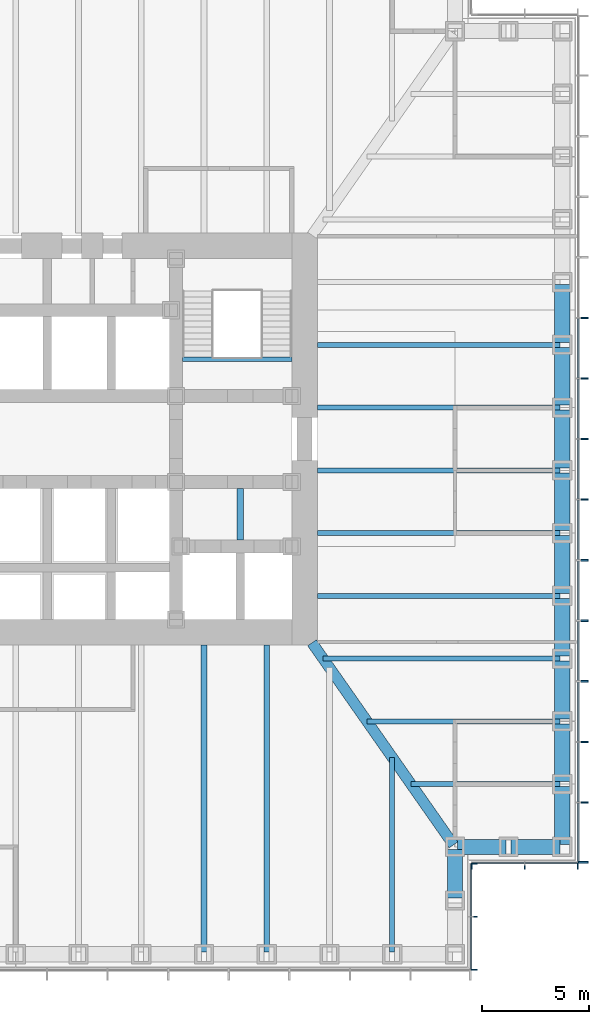
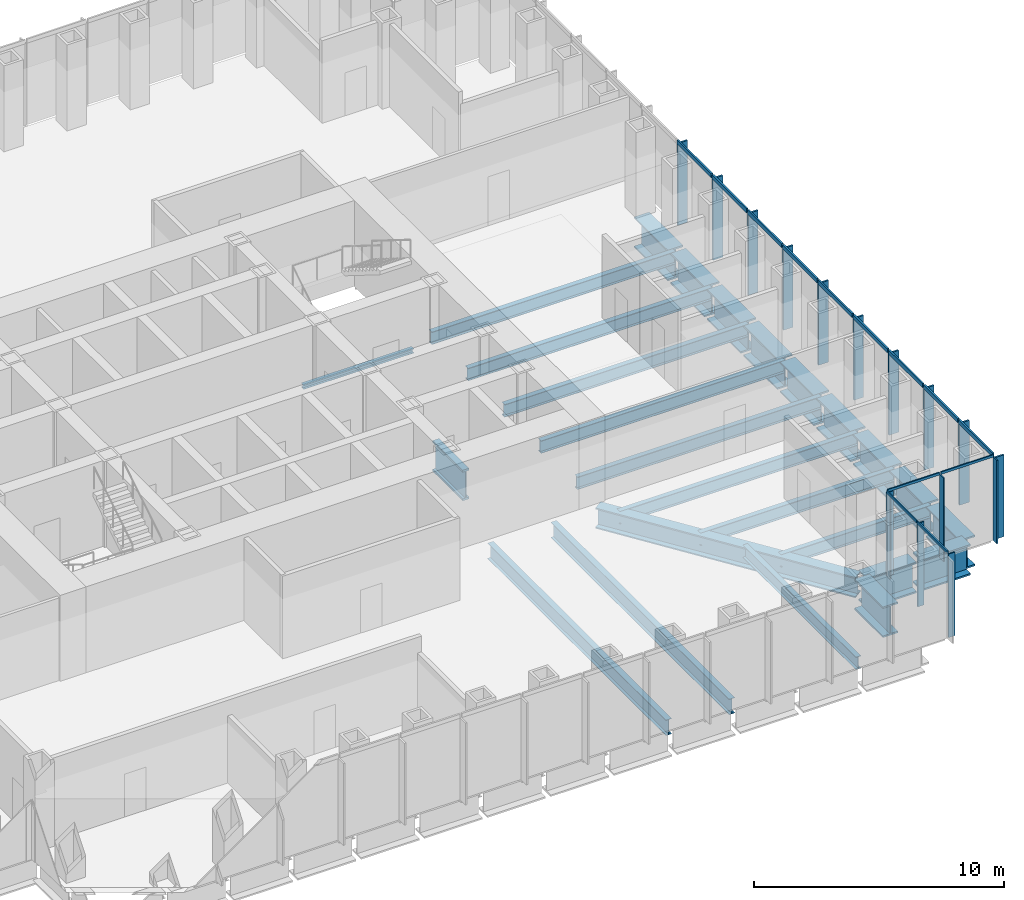
# One storey, part 4 of 16: 29 members, 26 beams, 3 elements without a shape of their own.
"""IFC4 building model written with IfcOpenShell, lengths in metres."""

from ifc_helpers import new_model, si_unit, direction, frame, origin, origin_2d, place, context, subcontext, project, spatial, rectangle, i_section, extrude, material, material_profile, profile_set, type_object, element, aggregate, save


model = new_model("IFC4")

# Units and contexts
model_context = context("Model", 3, precision=1e-05, world=origin(), true_north=direction((0.0, 1.0)))
body_context = subcontext(model_context, "Body", "Model", "MODEL_VIEW")
ifc_project = project(units=[si_unit("LENGTHUNIT", "METRE"), si_unit("AREAUNIT", "SQUARE_METRE"), si_unit("VOLUMEUNIT", "CUBIC_METRE"), si_unit("PLANEANGLEUNIT", "RADIAN"), si_unit("MASSUNIT", "GRAM", prefix="KILO")], contexts=[model_context])

# Site, building, storey
site_placement = place(None, origin())
site = spatial("IfcSite", under=ifc_project, at=site_placement, CompositionType="ELEMENT")
building_placement = place(site_placement, origin())
building = spatial("IfcBuilding", under=site, at=building_placement, Name="Daluyong Arena Tower", CompositionType="ELEMENT")
storey_placement = place(building_placement, frame((0.0, 0.0, 64.300048828125)))
storey = spatial("IfcBuildingStorey", under=building, at=storey_placement, Name="L13", CompositionType="ELEMENT", Elevation=64.300048828125)

# Curtain wall, members
ifc_material_1 = material(Name="Bronze anodised aluminium and glass", Category="aluminium")
curtain_wall_type_1 = type_object("IfcCurtainWallType", Name="Curtain wall CW1", PredefinedType="USERDEFINED", material=ifc_material_1)
curtain_wall_1_placement = place(storey_placement, origin())
curtain_wall_1 = element("IfcCurtainWall", 1, at=curtain_wall_1_placement, inside=storey, type_object=curtain_wall_type_1, Name="curtain wall L13 E", ObjectType="UNITISED CURTAIN WALL", PredefinedType="USERDEFINED")
ifc_material_2 = material(Name="Bronze anodised aluminium fin", Category="aluminium")
ifc_material_profile_1 = material_profile(ifc_material_2, rectangle(XDim=0.449951171875, YDim=0.080078125, at=origin_2d()))
ifc_profile_set_1 = profile_set([ifc_material_profile_1], Name="Bronze anodised aluminium fin")
member_type_1 = type_object("IfcMemberType", Name="CW1 bronze fin 450x80", PredefinedType="MULLION", material=ifc_profile_set_1)
member_1_placement = place(storey_placement, frame((80.97509765625, 60.2900390625, 0.0), z_axis=(0.0, 0.0, 1.0), x_axis=(-1.0, 0.0, 0.0)))
member_1 = element("IfcMember", 2, at=member_1_placement, type_object=member_type_1, Name="curtain wall L13 E fin 1", PredefinedType="MULLION", context=body_context, shape_type="SweptSolid", body=[
    extrude(rectangle(XDim=0.449951171875, YDim=0.080078125, at=origin_2d()), origin(), (0.0, 0.0, 1.0), 4.0),
])
member_2_placement = place(storey_placement, frame((80.97509765625, 63.071533203125, 0.0), z_axis=(0.0, 0.0, 1.0), x_axis=(-1.0, 0.0, 0.0)))
member_2 = element("IfcMember", 3, at=member_2_placement, type_object=member_type_1, Name="curtain wall L13 E fin 2", PredefinedType="MULLION", context=body_context, shape_type="SweptSolid", body=[
    extrude(rectangle(XDim=0.449951171875, YDim=0.080078125, at=origin_2d()), origin(), (0.0, 0.0, 1.0), 4.0),
])
member_3_placement = place(storey_placement, frame((80.97509765625, 65.892822265625, 0.0), z_axis=(0.0, 0.0, 1.0), x_axis=(-1.0, 0.0, 0.0)))
member_3 = element("IfcMember", 4, at=member_3_placement, type_object=member_type_1, Name="curtain wall L13 E fin 3", PredefinedType="MULLION", context=body_context, shape_type="SweptSolid", body=[
    extrude(rectangle(XDim=0.449951171875, YDim=0.080078125, at=origin_2d()), origin(), (0.0, 0.0, 1.0), 4.0),
])
member_4_placement = place(storey_placement, frame((80.97509765625, 68.71435546875, 0.0), z_axis=(0.0, 0.0, 1.0), x_axis=(-1.0, 0.0, 0.0)))
member_4 = element("IfcMember", 5, at=member_4_placement, type_object=member_type_1, Name="curtain wall L13 E fin 4", PredefinedType="MULLION", context=body_context, shape_type="SweptSolid", body=[
    extrude(rectangle(XDim=0.449951171875, YDim=0.080078125, at=origin_2d()), origin(), (0.0, 0.0, 1.0), 4.0),
])
member_5_placement = place(storey_placement, frame((80.97509765625, 71.53564453125, 0.0), z_axis=(0.0, 0.0, 1.0), x_axis=(-1.0, 0.0, 0.0)))
member_5 = element("IfcMember", 6, at=member_5_placement, type_object=member_type_1, Name="curtain wall L13 E fin 5", PredefinedType="MULLION", context=body_context, shape_type="SweptSolid", body=[
    extrude(rectangle(XDim=0.449951171875, YDim=0.080078125, at=origin_2d()), origin(), (0.0, 0.0, 1.0), 4.0),
])
member_6_placement = place(storey_placement, frame((80.97509765625, 74.357177734375, 0.0), z_axis=(0.0, 0.0, 1.0), x_axis=(-1.0, 0.0, 0.0)))
member_6 = element("IfcMember", 7, at=member_6_placement, type_object=member_type_1, Name="curtain wall L13 E fin 6", PredefinedType="MULLION", context=body_context, shape_type="SweptSolid", body=[
    extrude(rectangle(XDim=0.449951171875, YDim=0.080078125, at=origin_2d()), origin(), (0.0, 0.0, 1.0), 4.0),
])
member_7_placement = place(storey_placement, frame((80.97509765625, 77.178466796875, 0.0), z_axis=(0.0, 0.0, 1.0), x_axis=(-1.0, 0.0, 0.0)))
member_7 = element("IfcMember", 8, at=member_7_placement, type_object=member_type_1, Name="curtain wall L13 E fin 7", PredefinedType="MULLION", context=body_context, shape_type="SweptSolid", body=[
    extrude(rectangle(XDim=0.449951171875, YDim=0.080078125, at=origin_2d()), origin(), (0.0, 0.0, 1.0), 4.0),
])
member_8_placement = place(storey_placement, frame((80.97509765625, 80.0, 0.0), z_axis=(0.0, 0.0, 1.0), x_axis=(-1.0, 0.0, 0.0)))
member_8 = element("IfcMember", 9, at=member_8_placement, type_object=member_type_1, Name="curtain wall L13 E fin 8", PredefinedType="MULLION", context=body_context, shape_type="SweptSolid", body=[
    extrude(rectangle(XDim=0.449951171875, YDim=0.080078125, at=origin_2d()), origin(), (0.0, 0.0, 1.0), 4.0),
])
member_9_placement = place(storey_placement, frame((80.97509765625, 82.821533203125, 0.0), z_axis=(0.0, 0.0, 1.0), x_axis=(-1.0, 0.0, 0.0)))
member_9 = element("IfcMember", 10, at=member_9_placement, type_object=member_type_1, Name="curtain wall L13 E fin 9", PredefinedType="MULLION", context=body_context, shape_type="SweptSolid", body=[
    extrude(rectangle(XDim=0.449951171875, YDim=0.080078125, at=origin_2d()), origin(), (0.0, 0.0, 1.0), 4.0),
])
member_10_placement = place(storey_placement, frame((80.97509765625, 85.642822265625, 0.0), z_axis=(0.0, 0.0, 1.0), x_axis=(-1.0, 0.0, 0.0)))
member_10 = element("IfcMember", 11, at=member_10_placement, type_object=member_type_1, Name="curtain wall L13 E fin 10", PredefinedType="MULLION", context=body_context, shape_type="SweptSolid", body=[
    extrude(rectangle(XDim=0.449951171875, YDim=0.080078125, at=origin_2d()), origin(), (0.0, 0.0, 1.0), 4.0),
])
ifc_material_3 = material(Name="Bronze anodised aluminium", Category="aluminium")
ifc_material_profile_2 = material_profile(ifc_material_3, rectangle(XDim=0.080078125, YDim=0.199951171875, at=origin_2d()))
ifc_profile_set_2 = profile_set([ifc_material_profile_2], Name="Bronze anodised aluminium")
member_type_2 = type_object("IfcMemberType", Name="CW1 stack transom 200x80", PredefinedType="USERDEFINED", material=ifc_profile_set_2)
member_11_placement = place(storey_placement, frame((80.75, 60.330078125, 4.099853515625), z_axis=(0.0, 1.0, 0.0), x_axis=(-1.0, 0.0, 0.0)))
member_11 = element("IfcMember", 12, at=member_11_placement, type_object=member_type_2, Name="curtain wall L13 E transom 1", ObjectType="TRANSOM", PredefinedType="USERDEFINED", context=body_context, shape_type="SweptSolid", body=[
    extrude(rectangle(XDim=0.080078125, YDim=0.199951171875, at=origin_2d()), origin(), (0.0, 0.0, 1.0), 2.701416015625),
])
member_12_placement = place(storey_placement, frame((80.75, 63.111328125, 4.099853515625), z_axis=(0.0, 1.0, 0.0), x_axis=(-1.0, 0.0, 0.0)))
member_12 = element("IfcMember", 13, at=member_12_placement, type_object=member_type_2, Name="curtain wall L13 E transom 2", ObjectType="TRANSOM", PredefinedType="USERDEFINED", context=body_context, shape_type="SweptSolid", body=[
    extrude(rectangle(XDim=0.080078125, YDim=0.199951171875, at=origin_2d()), origin(), (0.0, 0.0, 1.0), 2.741455078125),
])
member_13_placement = place(storey_placement, frame((80.75, 65.932861328125, 4.099853515625), z_axis=(0.0, 1.0, 0.0), x_axis=(-1.0, 0.0, 0.0)))
member_13 = element("IfcMember", 14, at=member_13_placement, type_object=member_type_2, Name="curtain wall L13 E transom 3", ObjectType="TRANSOM", PredefinedType="USERDEFINED", context=body_context, shape_type="SweptSolid", body=[
    extrude(rectangle(XDim=0.080078125, YDim=0.199951171875, at=origin_2d()), origin(), (0.0, 0.0, 1.0), 2.741455078125),
])
member_14_placement = place(storey_placement, frame((80.75, 68.75439453125, 4.099853515625), z_axis=(0.0, 1.0, 0.0), x_axis=(-1.0, 0.0, 0.0)))
member_14 = element("IfcMember", 15, at=member_14_placement, type_object=member_type_2, Name="curtain wall L13 E transom 4", ObjectType="TRANSOM", PredefinedType="USERDEFINED", context=body_context, shape_type="SweptSolid", body=[
    extrude(rectangle(XDim=0.080078125, YDim=0.199951171875, at=origin_2d()), origin(), (0.0, 0.0, 1.0), 2.7412109375),
])
member_15_placement = place(storey_placement, frame((80.75, 71.57568359375, 4.099853515625), z_axis=(0.0, 1.0, 0.0), x_axis=(-1.0, 0.0, 0.0)))
member_15 = element("IfcMember", 16, at=member_15_placement, type_object=member_type_2, Name="curtain wall L13 E transom 5", ObjectType="TRANSOM", PredefinedType="USERDEFINED", context=body_context, shape_type="SweptSolid", body=[
    extrude(rectangle(XDim=0.080078125, YDim=0.199951171875, at=origin_2d()), origin(), (0.0, 0.0, 1.0), 2.741455078125),
])
member_16_placement = place(storey_placement, frame((80.75, 74.397216796875, 4.099853515625), z_axis=(0.0, 1.0, 0.0), x_axis=(-1.0, 0.0, 0.0)))
member_16 = element("IfcMember", 17, at=member_16_placement, type_object=member_type_2, Name="curtain wall L13 E transom 6", ObjectType="TRANSOM", PredefinedType="USERDEFINED", context=body_context, shape_type="SweptSolid", body=[
    extrude(rectangle(XDim=0.080078125, YDim=0.199951171875, at=origin_2d()), origin(), (0.0, 0.0, 1.0), 2.741455078125),
])
member_17_placement = place(storey_placement, frame((80.75, 77.218505859375, 4.099853515625), z_axis=(0.0, 1.0, 0.0), x_axis=(-1.0, 0.0, 0.0)))
member_17 = element("IfcMember", 18, at=member_17_placement, type_object=member_type_2, Name="curtain wall L13 E transom 7", ObjectType="TRANSOM", PredefinedType="USERDEFINED", context=body_context, shape_type="SweptSolid", body=[
    extrude(rectangle(XDim=0.080078125, YDim=0.199951171875, at=origin_2d()), origin(), (0.0, 0.0, 1.0), 2.741455078125),
])
member_18_placement = place(storey_placement, frame((80.75, 80.0400390625, 4.099853515625), z_axis=(0.0, 1.0, 0.0), x_axis=(-1.0, 0.0, 0.0)))
member_18 = element("IfcMember", 19, at=member_18_placement, type_object=member_type_2, Name="curtain wall L13 E transom 8", ObjectType="TRANSOM", PredefinedType="USERDEFINED", context=body_context, shape_type="SweptSolid", body=[
    extrude(rectangle(XDim=0.080078125, YDim=0.199951171875, at=origin_2d()), origin(), (0.0, 0.0, 1.0), 2.741455078125),
])
member_19_placement = place(storey_placement, frame((80.75, 82.861328125, 4.099853515625), z_axis=(0.0, 1.0, 0.0), x_axis=(-1.0, 0.0, 0.0)))
member_19 = element("IfcMember", 20, at=member_19_placement, type_object=member_type_2, Name="curtain wall L13 E transom 9", ObjectType="TRANSOM", PredefinedType="USERDEFINED", context=body_context, shape_type="SweptSolid", body=[
    extrude(rectangle(XDim=0.080078125, YDim=0.199951171875, at=origin_2d()), origin(), (0.0, 0.0, 1.0), 2.741455078125),
])
aggregate(curtain_wall_1, [member_1, member_2, member_3, member_4, member_5, member_6, member_7, member_8, member_9, member_10, member_11, member_12, member_13, member_14, member_15, member_16, member_17, member_18, member_19])

ifc_material_4 = material(Name="Bronze anodised aluminium and glass", Category="aluminium")
curtain_wall_type_2 = type_object("IfcCurtainWallType", Name="Curtain wall CW7", PredefinedType="USERDEFINED", material=ifc_material_4)
curtain_wall_2_placement = place(storey_placement, origin())
curtain_wall_2 = element("IfcCurtainWall", 21, at=curtain_wall_2_placement, inside=storey, type_object=curtain_wall_type_2, Name="curtain wall L13 SE-E", ObjectType="UNITISED CURTAIN WALL", PredefinedType="USERDEFINED")
ifc_material_5 = material(Name="Bronze anodised aluminium fin", Category="aluminium")
ifc_material_profile_3 = material_profile(ifc_material_5, rectangle(XDim=0.300048828125, YDim=0.06005859375, at=origin_2d()))
ifc_profile_set_3 = profile_set([ifc_material_profile_3], Name="Bronze anodised aluminium fin")
member_type_3 = type_object("IfcMemberType", Name="CW7 bronze fin 300x60", PredefinedType="MULLION", material=ifc_profile_set_3)
member_20_placement = place(storey_placement, frame((75.89990234375, 55.280029296875, 0.0), z_axis=(0.0, 0.0, 1.0), x_axis=(-1.0, 0.0, 0.0)))
member_20 = element("IfcMember", 22, at=member_20_placement, type_object=member_type_3, Name="curtain wall L13 SE-E fin 1", PredefinedType="MULLION", context=body_context, shape_type="SweptSolid", body=[
    extrude(rectangle(XDim=0.300048828125, YDim=0.06005859375, at=origin_2d()), origin(), (0.0, 0.0, 1.0), 4.079833984375),
])
member_21_placement = place(storey_placement, frame((75.89990234375, 57.75, 0.0), z_axis=(0.0, 0.0, 1.0), x_axis=(-1.0, 0.0, 0.0)))
member_21 = element("IfcMember", 23, at=member_21_placement, type_object=member_type_3, Name="curtain wall L13 SE-E fin 2", PredefinedType="MULLION", context=body_context, shape_type="SweptSolid", body=[
    extrude(rectangle(XDim=0.300048828125, YDim=0.06005859375, at=origin_2d()), origin(), (0.0, 0.0, 1.0), 4.079833984375),
])
member_22_placement = place(storey_placement, frame((75.89990234375, 60.219970703125, 0.0), z_axis=(0.0, 0.0, 1.0), x_axis=(-1.0, 0.0, 0.0)))
member_22 = element("IfcMember", 24, at=member_22_placement, type_object=member_type_3, Name="curtain wall L13 SE-E fin 3", PredefinedType="MULLION", context=body_context, shape_type="SweptSolid", body=[
    extrude(rectangle(XDim=0.300048828125, YDim=0.06005859375, at=origin_2d()), origin(), (0.0, 0.0, 1.0), 4.079833984375),
])

curtain_wall_3_placement = place(storey_placement, origin())
curtain_wall_3 = element("IfcCurtainWall", 25, at=curtain_wall_3_placement, inside=storey, type_object=curtain_wall_type_2, Name="curtain wall L13 SE-S", ObjectType="UNITISED CURTAIN WALL", PredefinedType="USERDEFINED")
member_23_placement = place(storey_placement, frame((75.780029296875, 60.10009765625, 0.0), z_axis=(0.0, 0.0, 1.0), x_axis=(0.0, 1.0, 0.0)))
member_23 = element("IfcMember", 26, at=member_23_placement, type_object=member_type_3, Name="curtain wall L13 SE-S fin 1", PredefinedType="MULLION", context=body_context, shape_type="SweptSolid", body=[
    extrude(rectangle(XDim=0.300048828125, YDim=0.06005859375, at=origin_2d()), origin(), (0.0, 0.0, 1.0), 4.079833984375),
])
member_24_placement = place(storey_placement, frame((78.25, 60.10009765625, 0.0), z_axis=(0.0, 0.0, 1.0), x_axis=(0.0, 1.0, 0.0)))
member_24 = element("IfcMember", 27, at=member_24_placement, type_object=member_type_3, Name="curtain wall L13 SE-S fin 2", PredefinedType="MULLION", context=body_context, shape_type="SweptSolid", body=[
    extrude(rectangle(XDim=0.300048828125, YDim=0.06005859375, at=origin_2d()), origin(), (0.0, 0.0, 1.0), 4.079833984375),
])
member_25_placement = place(storey_placement, frame((80.719970703125, 60.10009765625, 0.0), z_axis=(0.0, 0.0, 1.0), x_axis=(0.0, 1.0, 0.0)))
member_25 = element("IfcMember", 28, at=member_25_placement, type_object=member_type_3, Name="curtain wall L13 SE-S fin 3", PredefinedType="MULLION", context=body_context, shape_type="SweptSolid", body=[
    extrude(rectangle(XDim=0.300048828125, YDim=0.06005859375, at=origin_2d()), origin(), (0.0, 0.0, 1.0), 4.079833984375),
])

# Member
ifc_material_6 = material(Name="Bronze anodised aluminium", Category="aluminium")
ifc_material_profile_4 = material_profile(ifc_material_6, rectangle(XDim=0.06005859375, YDim=0.1201171875, at=origin_2d()))
ifc_profile_set_4 = profile_set([ifc_material_profile_4], Name="Bronze anodised aluminium")
member_type_4 = type_object("IfcMemberType", Name="CW7 stack transom 120x60", PredefinedType="USERDEFINED", material=ifc_profile_set_4)
member_26_placement = place(storey_placement, frame((75.75, 55.31005859375, 4.139892578125), z_axis=(0.0, 1.0, 0.0), x_axis=(-1.0, 0.0, 0.0)))
member_26 = element("IfcMember", 29, at=member_26_placement, type_object=member_type_4, Name="curtain wall L13 SE-E transom 1", ObjectType="TRANSOM", PredefinedType="USERDEFINED", context=body_context, shape_type="SweptSolid", body=[
    extrude(rectangle(XDim=0.06005859375, YDim=0.1201171875, at=origin_2d()), origin(), (0.0, 0.0, 1.0), 2.409912109375),
])

member_27_placement = place(storey_placement, frame((75.75, 57.780029296875, 4.139892578125), z_axis=(0.0, 1.0, 0.0), x_axis=(-1.0, 0.0, 0.0)))
member_27 = element("IfcMember", 30, at=member_27_placement, type_object=member_type_4, Name="curtain wall L13 SE-E transom 2", ObjectType="TRANSOM", PredefinedType="USERDEFINED", context=body_context, shape_type="SweptSolid", body=[
    extrude(rectangle(XDim=0.06005859375, YDim=0.1201171875, at=origin_2d()), origin(), (0.0, 0.0, 1.0), 2.409912109375),
])

aggregate(curtain_wall_2, [member_20, member_21, member_22, member_26, member_27])

member_28_placement = place(storey_placement, frame((75.81005859375, 60.25, 4.139892578125), z_axis=(1.0, 0.0, 0.0), x_axis=(0.0, 1.0, 0.0)))
member_28 = element("IfcMember", 31, at=member_28_placement, type_object=member_type_4, Name="curtain wall L13 SE-S transom 1", ObjectType="TRANSOM", PredefinedType="USERDEFINED", context=body_context, shape_type="SweptSolid", body=[
    extrude(rectangle(XDim=0.06005859375, YDim=0.1201171875, at=origin_2d()), origin(), (0.0, 0.0, 1.0), 2.409912109375),
])

member_29_placement = place(storey_placement, frame((78.280029296875, 60.25, 4.139892578125), z_axis=(1.0, 0.0, 0.0), x_axis=(0.0, 1.0, 0.0)))
member_29 = element("IfcMember", 32, at=member_29_placement, type_object=member_type_4, Name="curtain wall L13 SE-S transom 2", ObjectType="TRANSOM", PredefinedType="USERDEFINED", context=body_context, shape_type="SweptSolid", body=[
    extrude(rectangle(XDim=0.06005859375, YDim=0.1201171875, at=origin_2d()), origin(), (0.0, 0.0, 1.0), 2.409912109375),
])

aggregate(curtain_wall_3, [member_23, member_24, member_25, member_28, member_29])

# Beams
ifc_material_7 = material(Name="Steel ASTM A572 Grade 50", Category="steel")
ifc_material_profile_5 = material_profile(ifc_material_7, i_section(OverallWidth=0.5, OverallDepth=1.0, WebThickness=0.03, FlangeThickness=0.06, at=origin_2d()))
ifc_profile_set_5 = profile_set([ifc_material_profile_5], Name="Steel ASTM A572 Grade 50")
beam_type_1 = type_object("IfcBeamType", Name="Corner girder TB1000X500", PredefinedType="BEAM", material=ifc_profile_set_5)
beam_1_placement = place(storey_placement, frame((74.93408203125, 61.09423828125, -0.66015625), z_axis=(-0.573466621875, 0.819228926244, 0.0), x_axis=(-0.819228926244, -0.573466621875, 0.0)))
element("IfcBeam", 33, at=beam_1_placement, inside=storey, type_object=beam_type_1, Name="corner girder DG2", PredefinedType="BEAM", context=body_context, shape_type="SweptSolid", body=[
    extrude(i_section(OverallWidth=0.5, OverallDepth=1.0, WebThickness=0.03, FlangeThickness=0.06, at=origin_2d()), origin(), (0.0, 0.0, 1.0), 11.49169921875),
])
ifc_material_8 = material(Name="Steel ASTM A992 Grade 50", Category="steel")
ifc_material_profile_6 = material_profile(ifc_material_8, i_section(OverallWidth=0.22900390625, OverallDepth=0.612060546875, WebThickness=0.011962890625, FlangeThickness=0.01953125, at=origin_2d()))
ifc_profile_set_6 = profile_set([ifc_material_profile_6], Name="Steel ASTM A992 Grade 50")
beam_type_2 = type_object("IfcBeamType", Name="Floor beam W24X84", PredefinedType="BEAM", material=ifc_profile_set_6)
beam_2_placement = place(storey_placement, frame((72.076904296875, 56.114990234375, -0.466064453125), z_axis=(0.0, 1.0, 0.0), x_axis=(-1.0, 0.0, 0.0)))
element("IfcBeam", 34, at=beam_2_placement, inside=storey, type_object=beam_type_2, Name="floor beam FB3", PredefinedType="BEAM", context=body_context, shape_type="SweptSolid", body=[
    extrude(i_section(OverallWidth=0.22900390625, OverallDepth=0.612060546875, WebThickness=0.011962890625, FlangeThickness=0.01953125, at=origin_2d()), origin(), (0.0, 0.0, 1.0), 9.060791015625),
])
beam_3_placement = place(storey_placement, frame((79.885009765625, 63.923095703125, -0.466064453125), z_axis=(-1.0, 0.0, 0.0), x_axis=(0.0, -1.0, 0.0)))
element("IfcBeam", 35, at=beam_3_placement, inside=storey, type_object=beam_type_2, Name="floor beam FB3", PredefinedType="BEAM", context=body_context, shape_type="SweptSolid", body=[
    extrude(i_section(OverallWidth=0.22900390625, OverallDepth=0.612060546875, WebThickness=0.011962890625, FlangeThickness=0.01953125, at=origin_2d()), origin(), (0.0, 0.0, 1.0), 6.93115234375),
])
beam_4_placement = place(storey_placement, frame((79.885009765625, 66.84619140625, -0.466064453125), z_axis=(-1.0, 0.0, 0.0), x_axis=(0.0, -1.0, 0.0)))
element("IfcBeam", 36, at=beam_4_placement, inside=storey, type_object=beam_type_2, Name="floor beam FB3", PredefinedType="BEAM", context=body_context, shape_type="SweptSolid", body=[
    extrude(i_section(OverallWidth=0.22900390625, OverallDepth=0.612060546875, WebThickness=0.011962890625, FlangeThickness=0.01953125, at=origin_2d()), origin(), (0.0, 0.0, 1.0), 8.977294921875),
])
beam_5_placement = place(storey_placement, frame((79.885009765625, 69.769287109375, -0.466064453125), z_axis=(-1.0, 0.0, 0.0), x_axis=(0.0, -1.0, 0.0)))
element("IfcBeam", 37, at=beam_5_placement, inside=storey, type_object=beam_type_2, Name="floor beam FB3", PredefinedType="BEAM", context=body_context, shape_type="SweptSolid", body=[
    extrude(i_section(OverallWidth=0.22900390625, OverallDepth=0.612060546875, WebThickness=0.011962890625, FlangeThickness=0.01953125, at=origin_2d()), origin(), (0.0, 0.0, 1.0), 11.0234375),
])
for number, where, z_axis, x_axis, name in (
    (38, (79.885009765625, 72.6923828125, -0.466064453125), (-1.0, 0.0, 0.0), (0.0, -1.0, 0.0), "floor beam FB3"),
    (39, (79.885009765625, 75.615478515625, -0.466064453125), (-1.0, 0.0, 0.0), (0.0, -1.0, 0.0), "floor beam FB3"),
    (40, (79.885009765625, 78.53857421875, -0.466064453125), (-1.0, 0.0, 0.0), (0.0, -1.0, 0.0), "floor beam FB3"),
    (41, (79.885009765625, 81.46142578125, -0.466064453125), (-1.0, 0.0, 0.0), (0.0, -1.0, 0.0), "floor beam FB3"),
    (42, (79.885009765625, 84.384521484375, -0.466064453125), (-1.0, 0.0, 0.0), (0.0, -1.0, 0.0), "floor beam FB3"),
):
    element("IfcBeam", number, at=place(storey_placement, frame(where, z_axis=z_axis, x_axis=x_axis)), inside=storey, type_object=beam_type_2, Name=name, PredefinedType="BEAM", context=body_context, shape_type="SweptSolid", body=[
        extrude(i_section(OverallWidth=0.22900390625, OverallDepth=0.612060546875, WebThickness=0.011962890625, FlangeThickness=0.01953125, at=origin_2d()), origin(), (0.0, 0.0, 1.0), 11.284912109375),
    ])
ifc_material_9 = material(Name="Steel ASTM A992 Grade 50", Category="steel")
ifc_material_profile_7 = material_profile(ifc_material_9, i_section(OverallWidth=0.2666015625, OverallDepth=0.761962890625, WebThickness=0.014404296875, FlangeThickness=0.021484375, at=origin_2d()))
ifc_profile_set_7 = profile_set([ifc_material_profile_7], Name="Steel ASTM A992 Grade 50")
beam_type_3 = type_object("IfcBeamType", Name="Floor beam W30X116", PredefinedType="BEAM", material=ifc_profile_set_7)
for number, where, z_axis, x_axis, name in (
    (43, (63.3076171875, 56.114990234375, -0.541015625), (0.0, 1.0, 0.0), (-1.0, 0.0, 0.0), "floor beam FB4"),
    (44, (66.230712890625, 56.114990234375, -0.541015625), (0.0, 1.0, 0.0), (-1.0, 0.0, 0.0), "floor beam FB4"),
):
    element("IfcBeam", number, at=place(storey_placement, frame(where, z_axis=z_axis, x_axis=x_axis)), inside=storey, type_object=beam_type_3, Name=name, PredefinedType="BEAM", context=body_context, shape_type="SweptSolid", body=[
        extrude(i_section(OverallWidth=0.2666015625, OverallDepth=0.761962890625, WebThickness=0.014404296875, FlangeThickness=0.021484375, at=origin_2d()), origin(), (0.0, 0.0, 1.0), 14.284912109375),
    ])
ifc_material_10 = material(Name="Steel ASTM A572 Grade 50", Category="steel")
ifc_material_profile_8 = material_profile(ifc_material_10, i_section(OverallWidth=0.300048828125, OverallDepth=1.5, WebThickness=0.04, FlangeThickness=0.1, at=origin_2d()))
ifc_profile_set_8 = profile_set([ifc_material_profile_8], Name="Steel ASTM A572 Grade 50")
beam_type_4 = type_object("IfcBeamType", Name="Lift divider beam PG1500X300", PredefinedType="BEAM", material=ifc_profile_set_8)
beam_6_placement = place(storey_placement, frame((65.0, 75.300048828125, -0.91015625), z_axis=(0.0, 1.0, 0.0), x_axis=(-1.0, 0.0, 0.0)))
element("IfcBeam", 45, at=beam_6_placement, inside=storey, type_object=beam_type_4, Name="lift divider beam DB2", PredefinedType="BEAM", context=body_context, shape_type="SweptSolid", body=[
    extrude(i_section(OverallWidth=0.300048828125, OverallDepth=1.5, WebThickness=0.04, FlangeThickness=0.1, at=origin_2d()), origin(), (0.0, 0.0, 1.0), 2.39990234375),
])
ifc_material_11 = material(Name="Steel ASTM A572 Grade 50", Category="steel")
ifc_material_profile_9 = material_profile(ifc_material_11, i_section(OverallWidth=0.699951171875, OverallDepth=1.5, WebThickness=0.04, FlangeThickness=0.08, at=origin_2d()))
ifc_profile_set_9 = profile_set([ifc_material_profile_9], Name="Steel ASTM A572 Grade 50")
beam_type_5 = type_object("IfcBeamType", Name="Spandrel Z1 PG1500X700", PredefinedType="SPANDREL", material=ifc_profile_set_9)
for number, where, z_axis, x_axis, name in (
    (46, (75.0, 58.614990234375, -0.91015625), (0.0, 1.0, 0.0), (-1.0, 0.0, 0.0), "spandrel z1 SB4"),
    (47, (75.114990234375, 61.0, -0.91015625), (1.0, 0.0, 0.0), (0.0, 1.0, 0.0), "spandrel z1 SB4"),
    (48, (77.614990234375, 61.0, -0.91015625), (1.0, 0.0, 0.0), (0.0, 1.0, 0.0), "spandrel z1 SB4"),
):
    element("IfcBeam", number, at=place(storey_placement, frame(where, z_axis=z_axis, x_axis=x_axis)), inside=storey, type_object=beam_type_5, Name=name, PredefinedType="SPANDREL", context=body_context, shape_type="SweptSolid", body=[
        extrude(i_section(OverallWidth=0.699951171875, OverallDepth=1.5, WebThickness=0.04, FlangeThickness=0.08, at=origin_2d()), origin(), (0.0, 0.0, 1.0), 2.27001953125),
    ])
for number, where, z_axis, x_axis, name in (
    (49, (80.0, 61.114990234375, -0.91015625), (0.0, 1.0, 0.0), (-1.0, 0.0, 0.0), "spandrel z1 SB4"),
    (50, (80.0, 64.0380859375, -0.91015625), (0.0, 1.0, 0.0), (-1.0, 0.0, 0.0), "spandrel z1 SB4"),
    (51, (80.0, 66.961181640625, -0.91015625), (0.0, 1.0, 0.0), (-1.0, 0.0, 0.0), "spandrel z1 SB4"),
    (52, (80.0, 69.88427734375, -0.91015625), (0.0, 1.0, 0.0), (-1.0, 0.0, 0.0), "spandrel z1 SB4"),
    (53, (80.0, 72.807373046875, -0.91015625), (0.0, 1.0, 0.0), (-1.0, 0.0, 0.0), "spandrel z1 SB4"),
    (54, (80.0, 75.73046875, -0.91015625), (0.0, 1.0, 0.0), (-1.0, 0.0, 0.0), "spandrel z1 SB4"),
):
    element("IfcBeam", number, at=place(storey_placement, frame(where, z_axis=z_axis, x_axis=x_axis)), inside=storey, type_object=beam_type_5, Name=name, PredefinedType="SPANDREL", context=body_context, shape_type="SweptSolid", body=[
        extrude(i_section(OverallWidth=0.699951171875, OverallDepth=1.5, WebThickness=0.04, FlangeThickness=0.08, at=origin_2d()), origin(), (0.0, 0.0, 1.0), 2.693115234375),
    ])
beam_7_placement = place(storey_placement, frame((80.0, 78.653564453125, -0.91015625), z_axis=(0.0, 1.0, 0.0), x_axis=(-1.0, 0.0, 0.0)))
element("IfcBeam", 55, at=beam_7_placement, inside=storey, type_object=beam_type_5, Name="spandrel z1 SB4", PredefinedType="SPANDREL", context=body_context, shape_type="SweptSolid", body=[
    extrude(i_section(OverallWidth=0.699951171875, OverallDepth=1.5, WebThickness=0.04, FlangeThickness=0.08, at=origin_2d()), origin(), (0.0, 0.0, 1.0), 2.69287109375),
])
for number, where, z_axis, x_axis, name in (
    (56, (80.0, 81.576416015625, -0.91015625), (0.0, 1.0, 0.0), (-1.0, 0.0, 0.0), "spandrel z1 SB4"),
    (57, (80.0, 84.49951171875, -0.91015625), (0.0, 1.0, 0.0), (-1.0, 0.0, 0.0), "spandrel z1 SB4"),
):
    element("IfcBeam", number, at=place(storey_placement, frame(where, z_axis=z_axis, x_axis=x_axis)), inside=storey, type_object=beam_type_5, Name=name, PredefinedType="SPANDREL", context=body_context, shape_type="SweptSolid", body=[
        extrude(i_section(OverallWidth=0.699951171875, OverallDepth=1.5, WebThickness=0.04, FlangeThickness=0.08, at=origin_2d()), origin(), (0.0, 0.0, 1.0), 2.693115234375),
    ])
ifc_material_12 = material(Name="Steel ASTM A992 Grade 50", Category="steel")
ifc_material_profile_10 = material_profile(ifc_material_12, i_section(OverallWidth=0.203125, OverallDepth=0.203125, WebThickness=0.00732421875, FlangeThickness=0.010986328125, at=origin_2d()))
ifc_profile_set_10 = profile_set([ifc_material_profile_10], Name="Steel ASTM A992 Grade 50")
beam_type_6 = type_object("IfcBeamType", Name="Stair landing beam W8X31", PredefinedType="BEAM", material=ifc_profile_set_10)
beam_8_placement = place(storey_placement, frame((62.300048828125, 83.723388671875, -0.26171875), z_axis=(1.0, 0.0, 0.0), x_axis=(0.0, 1.0, 0.0)))
element("IfcBeam", 58, at=beam_8_placement, inside=storey, type_object=beam_type_6, Name="exit stair B landing beam", PredefinedType="BEAM", context=body_context, shape_type="SweptSolid", body=[
    extrude(i_section(OverallWidth=0.203125, OverallDepth=0.203125, WebThickness=0.00732421875, FlangeThickness=0.010986328125, at=origin_2d()), origin(), (0.0, 0.0, 1.0), 5.099853515625),
])

save(model, "model.ifc")
